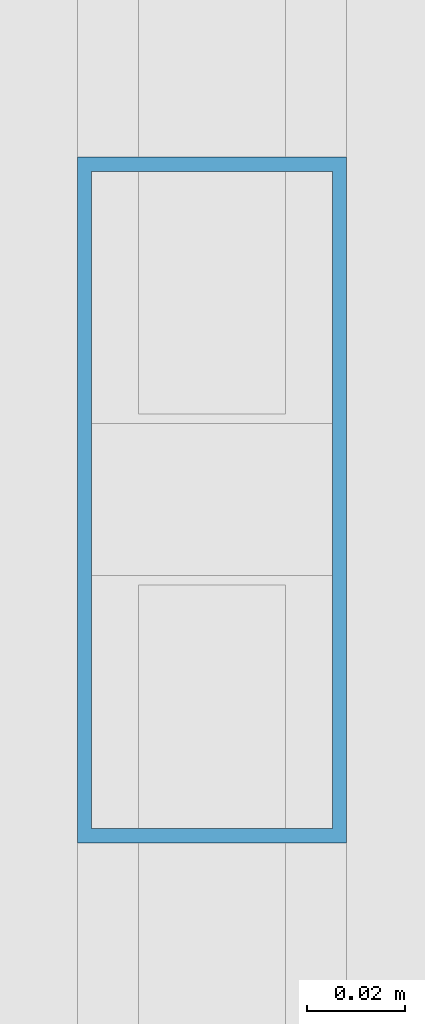
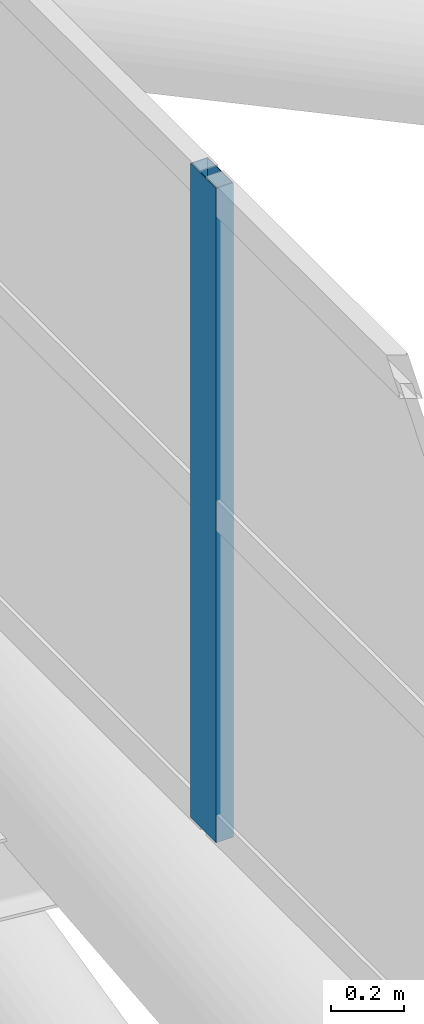
# One storey, part 139 of 397: 1 member, 1 element without a shape of its own.
"""IFC4 building model written with IfcOpenShell, lengths in metres."""

from ifc_helpers import new_model, si_unit, direction, frame, origin, origin_2d, place, context, subcontext, project, spatial, hollow_rectangle, extrude, material, material_profile, profile_set, type_object, element, aggregate, save


model = new_model("IFC4")

# Units and contexts
model_context = context("Model", 3, precision=1e-05, world=origin(), true_north=direction((0.0, 1.0)))
body_context = subcontext(model_context, "Body", "Model", "MODEL_VIEW")
ifc_project = project(units=[si_unit("LENGTHUNIT", "METRE"), si_unit("AREAUNIT", "SQUARE_METRE"), si_unit("VOLUMEUNIT", "CUBIC_METRE"), si_unit("PLANEANGLEUNIT", "RADIAN"), si_unit("MASSUNIT", "GRAM", prefix="KILO")], contexts=[model_context])

# Site, building, storey
site_placement = place(None, origin())
site = spatial("IfcSite", under=ifc_project, at=site_placement, CompositionType="ELEMENT")
building_placement = place(site_placement, origin())
building = spatial("IfcBuilding", under=site, at=building_placement, Name="Qandorah Velis Arena", CompositionType="ELEMENT")
storey_placement = place(building_placement, frame((0.0, 0.0, 27.5)))
storey = spatial("IfcBuildingStorey", under=building, at=storey_placement, Name="RF", CompositionType="ELEMENT", Elevation=27.5)

# Curtain wall, member
ifc_material_1 = material(Name="Solar-control low-E double glazing", Category="glass")
curtain_wall_type = type_object("IfcCurtainWallType", Name="ARC-CW-SYS11", PredefinedType="USERDEFINED", material=ifc_material_1)
curtain_wall_placement = place(storey_placement, origin())
curtain_wall = element("IfcCurtainWall", 1, at=curtain_wall_placement, inside=storey, type_object=curtain_wall_type, Name="Unitised curtain wall OCULUS-2-1", ObjectType="UNITISED CURTAIN WALL", PredefinedType="USERDEFINED")
ifc_material_2 = material(Name="Champagne-bronze anodized aluminium 6063-T6", Category="aluminium")
ifc_material_profile = material_profile(ifc_material_2, hollow_rectangle(XDim=0.054931640625, YDim=0.139892578125, WallThickness=0.0029296875, at=origin_2d()), Name="ALU MULLION 55x140")
ifc_profile_set = profile_set([ifc_material_profile], Name="Champagne-bronze anodized aluminium 6063-T6")
member_type = type_object("IfcMemberType", Name="ARC-CWM-140", PredefinedType="MULLION", material=ifc_profile_set)
member_placement = place(storey_placement, frame((100.800048828125, 35.23876953125, 8.470947265625), z_axis=(0.0, 0.0, 1.0), x_axis=(-1.0, 0.0, 0.0)))
member = element("IfcMember", 2, at=member_placement, type_object=member_type, Name="CW11 mullion 5", PredefinedType="MULLION", context=body_context, shape_type="SweptSolid", body=[
    extrude(hollow_rectangle(XDim=0.054931640625, YDim=0.139892578125, WallThickness=0.0029296875, at=origin_2d()), origin(), (0.0, 0.0, 1.0), 2.179931640625),
])
aggregate(curtain_wall, [member])

save(model, "model.ifc")
